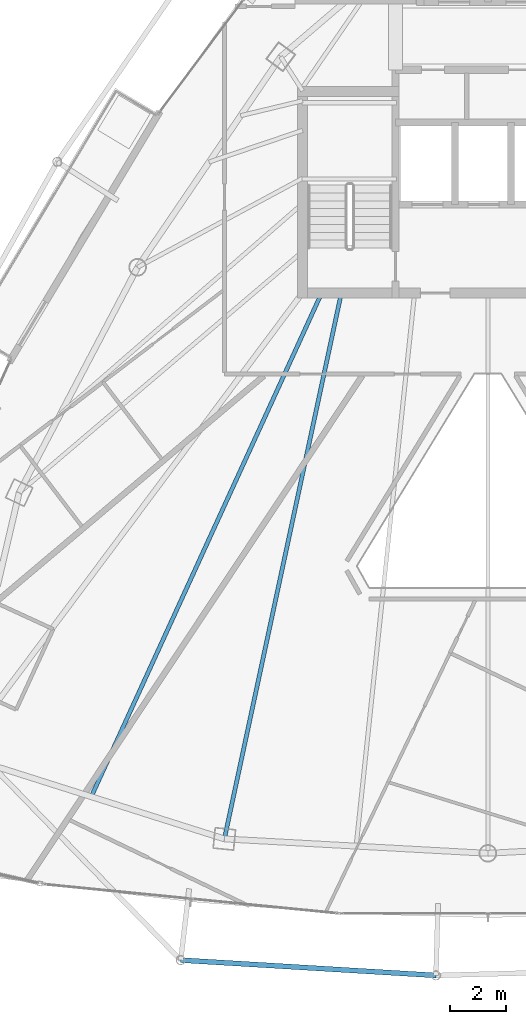
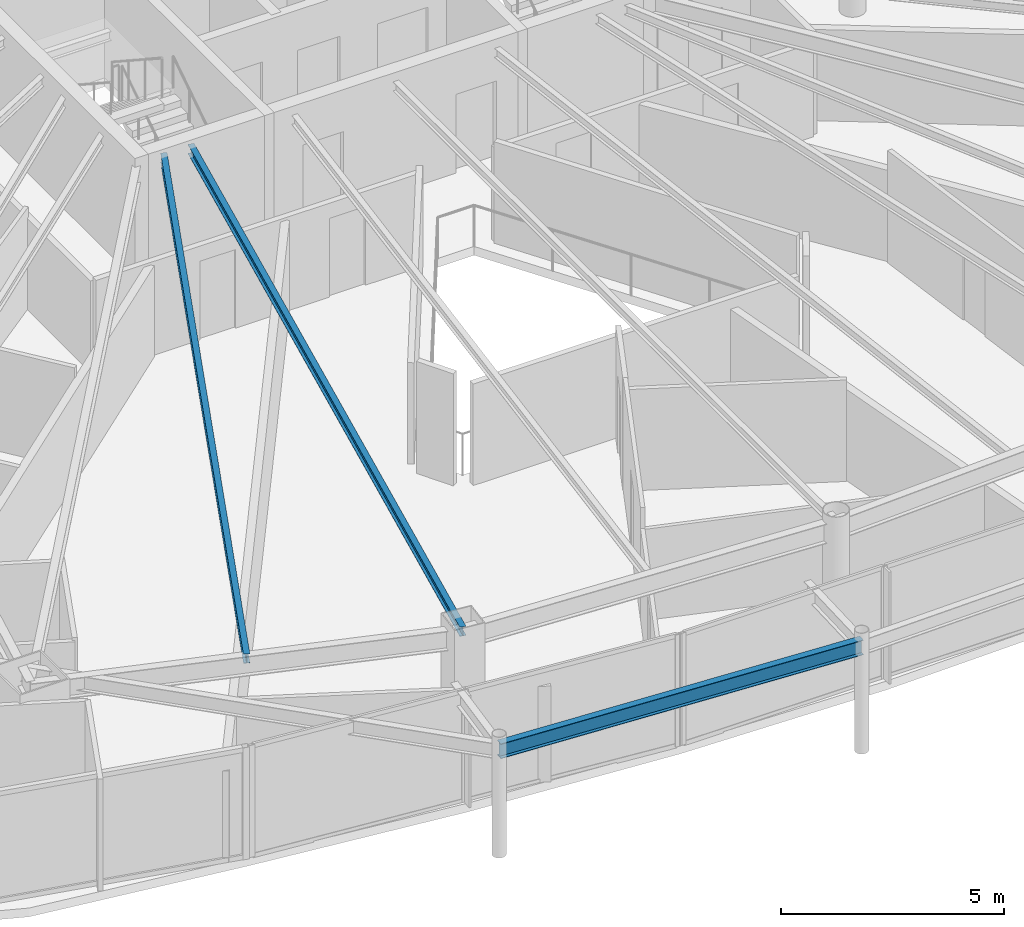
# One storey, part 7 of 33: 3 beams.
"""IFC4 building model written with IfcOpenShell, lengths in metres."""

from ifc_helpers import new_model, si_unit, direction, frame, origin, origin_2d, place, context, subcontext, project, spatial, i_section, extrude, material, material_profile, profile_set, type_object, element, save


model = new_model("IFC4")

# Units and contexts
model_context = context("Model", 3, precision=1e-05, world=origin(), true_north=direction((0.0, 1.0)))
body_context = subcontext(model_context, "Body", "Model", "MODEL_VIEW")
ifc_project = project(units=[si_unit("LENGTHUNIT", "METRE"), si_unit("AREAUNIT", "SQUARE_METRE"), si_unit("VOLUMEUNIT", "CUBIC_METRE"), si_unit("PLANEANGLEUNIT", "RADIAN"), si_unit("MASSUNIT", "GRAM", prefix="KILO")], contexts=[model_context])

# Site, building, storey
site_placement = place(None, origin())
site = spatial("IfcSite", under=ifc_project, at=site_placement, CompositionType="ELEMENT")
building_placement = place(site_placement, origin())
building = spatial("IfcBuilding", under=site, at=building_placement, Name="Orvanel Arch Residences", CompositionType="ELEMENT")
storey_placement = place(building_placement, frame((0.0, 0.0, 206.300048828125)))
storey = spatial("IfcBuildingStorey", under=building, at=storey_placement, Name="L58", CompositionType="ELEMENT", Elevation=206.300048828125)

# Beams
ifc_material = material(Name="Structural steel AS/NZS 3679.1 Grade 300 (300 MPa)", Category="steel")
ifc_material_profile_1 = material_profile(ifc_material, i_section(OverallWidth=0.14599609375, OverallDepth=0.251953125, WebThickness=0.006103515625, FlangeThickness=0.008544921875, at=origin_2d()), Name="250UB31.4")
ifc_profile_set_1 = profile_set([ifc_material_profile_1], Name="Structural steel AS/NZS 3679.1 Grade 300 (300 MPa)")
beam_type_1 = type_object("IfcBeamType", Name="BJ-250UB", PredefinedType="JOIST", material=ifc_profile_set_1)
beam_1_placement = place(storey_placement, frame((27.800048828125, 26.72509765625, 2.933837890625), z_axis=(-0.209547604985, -0.977798446125, 0.0), x_axis=(0.977798446125, -0.209547604985, 0.0)))
element("IfcBeam", 1, at=beam_1_placement, inside=storey, type_object=beam_type_1, Name="L58 SW Wing Floor Joist", PredefinedType="JOIST", context=body_context, shape_type="SweptSolid", body=[
    extrude(i_section(OverallWidth=0.14599609375, OverallDepth=0.251953125, WebThickness=0.006103515625, FlangeThickness=0.008544921875, at=origin_2d()), origin(), (0.0, 0.0, 1.0), 19.809814453125),
])
beam_2_placement = place(storey_placement, frame((27.10009765625, 26.72509765625, 2.933837890625), z_axis=(-0.416009574066, -0.909360233508, 0.0), x_axis=(0.909360233508, -0.416009574066, 0.0)))
element("IfcBeam", 2, at=beam_2_placement, inside=storey, type_object=beam_type_1, Name="L58 JADD1 Wing Floor Joist", PredefinedType="JOIST", context=body_context, shape_type="SweptSolid", body=[
    extrude(i_section(OverallWidth=0.14599609375, OverallDepth=0.251953125, WebThickness=0.006103515625, FlangeThickness=0.008544921875, at=origin_2d()), origin(), (0.0, 0.0, 1.0), 19.653564453125),
])
ifc_material_profile_2 = material_profile(ifc_material, i_section(OverallWidth=0.177978515625, OverallDepth=0.406005859375, WebThickness=0.0078125, FlangeThickness=0.0126953125, at=origin_2d()), Name="410UB59.7")
ifc_profile_set_2 = profile_set([ifc_material_profile_2], Name="Structural steel AS/NZS 3679.1 Grade 300 (300 MPa)")
beam_type_2 = type_object("IfcBeamType", Name="OB-410UB-EXT", PredefinedType="SPANDREL", material=ifc_profile_set_2)
beam_3_placement = place(storey_placement, frame((22.10009765625, 3.053955078125, 2.85693359375), z_axis=(0.998208157486, -0.05983706483, 0.0), x_axis=(0.05983706483, 0.998208157486, 0.0)))
element("IfcBeam", 3, at=beam_3_placement, inside=storey, type_object=beam_type_2, Name="L58 Outer Perimeter Floor Ring Beam 05", PredefinedType="SPANDREL", context=body_context, shape_type="SweptSolid", body=[
    extrude(i_section(OverallWidth=0.177978515625, OverallDepth=0.406005859375, WebThickness=0.0078125, FlangeThickness=0.0126953125, at=origin_2d()), origin(), (0.0, 0.0, 1.0), 9.07421875),
])

save(model, "model.ifc")
